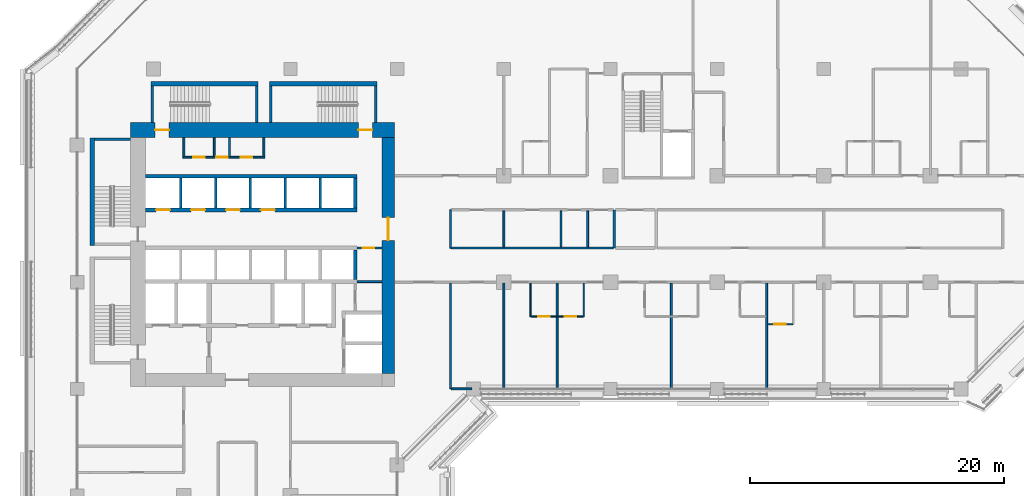
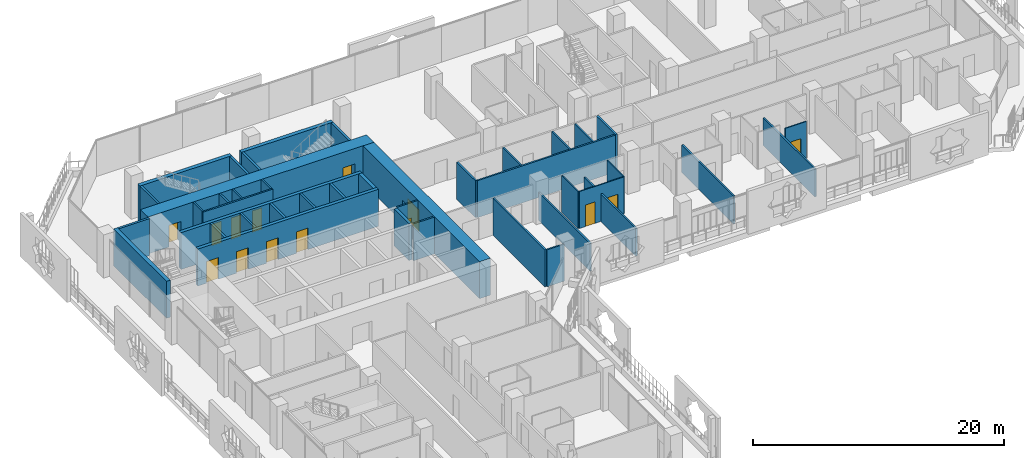
# One storey, part 14 of 26: 42 walls, 14 doors, 14 openings.
"""IFC4 building model written with IfcOpenShell, lengths in metres."""

from ifc_helpers import new_model, si_unit, direction, frame, frame_2d, origin, place, context, subcontext, project, spatial, rectangle, extrude, material, layer, layer_set, type_object, element, fill, save


model = new_model("IFC4")

# Units and contexts
model_context = context("Model", 3, precision=1e-05, world=origin(), true_north=direction((0.0, 1.0)))
body_context = subcontext(model_context, "Body", "Model", "MODEL_VIEW")
ifc_project = project(units=[si_unit("LENGTHUNIT", "METRE"), si_unit("AREAUNIT", "SQUARE_METRE"), si_unit("VOLUMEUNIT", "CUBIC_METRE"), si_unit("PLANEANGLEUNIT", "RADIAN"), si_unit("MASSUNIT", "GRAM", prefix="KILO")], contexts=[model_context])

# Site, building, storey
site_placement = place(None, origin())
site = spatial("IfcSite", under=ifc_project, at=site_placement, CompositionType="ELEMENT")
building_placement = place(site_placement, origin())
building = spatial("IfcBuilding", under=site, at=building_placement, Name="Kawkab Arch Medical Tower", CompositionType="ELEMENT")
storey_placement = place(building_placement, frame((0.0, 0.0, 119.800048828125)))
storey = spatial("IfcBuildingStorey", under=building, at=storey_placement, Name="L27", CompositionType="ELEMENT", Elevation=119.800048828125)

# Wall, opening, door
ifc_material_1 = material(Name="Concrete C60/75", Category="concrete")
ifc_layer_1 = layer(ifc_material_1, 1.0)
ifc_layer_set_1 = layer_set([ifc_layer_1], Name="Concrete C60/75")
wall_type_1 = type_object("IfcWallType", Name="Core ring wall 1000 C60/75", PredefinedType="SHEAR", material=ifc_layer_set_1)
wall_1_placement = place(storey_placement, frame((24.5, -24.0, 0.0), z_axis=(0.0, 0.0, 1.0), x_axis=(0.0, 1.0, 0.0)))
wall_1 = element("IfcWall", 1, at=wall_1_placement, inside=storey, type_object=wall_type_1, Name="L27 core wall", PredefinedType="SHEAR", context=body_context, shape_type="SweptSolid", body=[
    extrude(rectangle(XDim=18.60009765625, YDim=1.0, at=frame_2d((9.300048828125, 0.0))), origin(), (0.0, 0.0, 1.0), 3.599853515625),
])
opening_1_placement = place(wall_1_placement, frame((10.5, 0.0, 0.0)))
opening_1 = element("IfcOpeningElement", 2, at=opening_1_placement, cuts=wall_1, Name="Opening PD", PredefinedType="OPENING", context=body_context, shape_type="SweptSolid", body=[
    extrude(rectangle(XDim=1.800048828125, YDim=2.10009765625, at=frame_2d((0.89990234375, 1.050048828125))), frame((0.0, 0.510009765625, 0.0), z_axis=(0.0, -1.0, 0.0), x_axis=(1.0, 0.0, 0.0)), (0.0, 0.0, 1.0), 1.02001953125),
])
ifc_material_2 = material(Name="Hollow metal fire door leaf")
door_type_1 = type_object("IfcDoorType", Name="Core entrance doors 1800", OperationType="DOUBLE_DOOR_SINGLE_SWING", PredefinedType="DOOR", material=ifc_material_2)
door_1_placement = place(opening_1_placement, origin())
door_1 = element("IfcDoor", 3, at=door_1_placement, inside=storey, type_object=door_type_1, Name="L27 East entrance doors", OperationType="DOUBLE_DOOR_SINGLE_SWING", OverallHeight=2.10009765625, OverallWidth=1.800048828125, PredefinedType="DOOR", context=body_context, shape_type="SweptSolid", body=[
    extrude(rectangle(XDim=1.800048828125, YDim=2.10009765625, at=frame_2d((0.89990234375, 1.050048828125))), frame((0.0, 0.02490234375, 0.0), z_axis=(0.0, -1.0, 0.0), x_axis=(1.0, 0.0, 0.0)), (0.0, 0.0, 1.0), 0.050048828125),
])
fill(opening_1, door_1)

# Wall, openings, doors
ifc_material_3 = material(Name="Concrete C60/75", Category="concrete")
ifc_layer_2 = layer(ifc_material_3, 1.199951171875)
ifc_layer_set_2 = layer_set([ifc_layer_2], Name="Concrete C60/75")
wall_type_2 = type_object("IfcWallType", Name="Core ring wall 1200 C60/75", PredefinedType="SHEAR", material=ifc_layer_set_2)
wall_2_placement = place(storey_placement, frame((4.199951171875, -4.800048828125, 0.0), z_axis=(0.0, 0.0, 1.0), x_axis=(1.0, 0.0, 0.0)))
wall_2 = element("IfcWall", 4, at=wall_2_placement, inside=storey, type_object=wall_type_2, Name="L27 core wall", PredefinedType="SHEAR", context=body_context, shape_type="SweptSolid", body=[
    extrude(rectangle(XDim=20.800048828125, YDim=1.199951171875, at=frame_2d((10.39990234375, 0.0))), origin(), (0.0, 0.0, 1.0), 3.599853515625),
])
opening_2_placement = place(wall_2_placement, frame((1.949951171875, 0.0, 0.0)))
opening_2 = element("IfcOpeningElement", 5, at=opening_2_placement, cuts=wall_2, Name="Opening SD", PredefinedType="OPENING", context=body_context, shape_type="SweptSolid", body=[
    extrude(rectangle(XDim=1.10009765625, YDim=2.10009765625, at=frame_2d((0.550048828125, 1.050048828125))), frame((0.0, 0.60986328125, 0.0), z_axis=(0.0, -1.0, 0.0), x_axis=(1.0, 0.0, 0.0)), (0.0, 0.0, 1.0), 1.219970703125),
])
opening_3_placement = place(wall_2_placement, frame((17.949951171875, 0.0, 0.0)))
opening_3 = element("IfcOpeningElement", 6, at=opening_3_placement, cuts=wall_2, Name="Opening SD", PredefinedType="OPENING", context=body_context, shape_type="SweptSolid", body=[
    extrude(rectangle(XDim=1.10009765625, YDim=2.10009765625, at=frame_2d((0.550048828125, 1.050048828125))), frame((0.0, 0.60986328125, 0.0), z_axis=(0.0, -1.0, 0.0), x_axis=(1.0, 0.0, 0.0)), (0.0, 0.0, 1.0), 1.219970703125),
])
ifc_material_4 = material(Name="Hollow metal fire door leaf")
door_type_2 = type_object("IfcDoorType", Name="Exit stair door 1100", OperationType="SINGLE_SWING_LEFT", PredefinedType="DOOR", material=ifc_material_4)
door_2_placement = place(opening_2_placement, origin())
door_2 = element("IfcDoor", 7, at=door_2_placement, inside=storey, type_object=door_type_2, Name="L27 Exit stair ST3 door", OperationType="SINGLE_SWING_LEFT", OverallHeight=2.10009765625, OverallWidth=1.10009765625, PredefinedType="DOOR", context=body_context, shape_type="SweptSolid", body=[
    extrude(rectangle(XDim=1.10009765625, YDim=2.10009765625, at=frame_2d((0.550048828125, 1.050048828125))), frame((0.0, 0.02490234375, 0.0), z_axis=(0.0, -1.0, 0.0), x_axis=(1.0, 0.0, 0.0)), (0.0, 0.0, 1.0), 0.050048828125),
])
fill(opening_2, door_2)
door_3_placement = place(opening_3_placement, origin())
door_3 = element("IfcDoor", 8, at=door_3_placement, inside=storey, type_object=door_type_2, Name="L27 Exit stair ST4 door", OperationType="SINGLE_SWING_LEFT", OverallHeight=2.10009765625, OverallWidth=1.10009765625, PredefinedType="DOOR", context=body_context, shape_type="SweptSolid", body=[
    extrude(rectangle(XDim=1.10009765625, YDim=2.10009765625, at=frame_2d((0.550048828125, 1.050048828125))), frame((0.0, 0.02490234375, 0.0), z_axis=(0.0, -1.0, 0.0), x_axis=(1.0, 0.0, 0.0)), (0.0, 0.0, 1.0), 0.050048828125),
])
fill(opening_3, door_3)

# Wall
ifc_material_5 = material(Name="Gypsum board on steel studs", Category="steel")
ifc_layer_3 = layer(ifc_material_5, 0.14990234375)
ifc_layer_set_3 = layer_set([ifc_layer_3], Name="Gypsum board on steel studs")
wall_type_3 = type_object("IfcWallType", Name="Core room partition 150", PredefinedType="PARTITIONING", material=ifc_layer_set_3)
wall_3_placement = place(storey_placement, frame((22.050048828125, -16.75, 0.0), z_axis=(0.0, 0.0, 1.0), x_axis=(1.0, 0.0, 0.0)))
element("IfcWall", 9, at=wall_3_placement, inside=storey, type_object=wall_type_3, Name="L27 core room partition", PredefinedType="PARTITIONING", context=body_context, shape_type="SweptSolid", body=[
    extrude(rectangle(XDim=1.949951171875, YDim=0.14990234375, at=frame_2d((0.97509765625, 0.0))), origin(), (0.0, 0.0, 1.0), 3.599853515625),
])

# Wall, opening, door
wall_4_placement = place(storey_placement, frame((22.050048828125, -14.10009765625, 0.0), z_axis=(0.0, 0.0, 1.0), x_axis=(1.0, 0.0, 0.0)))
wall_4 = element("IfcWall", 10, at=wall_4_placement, inside=storey, type_object=wall_type_3, Name="L27 core room partition", PredefinedType="PARTITIONING", context=body_context, shape_type="SweptSolid", body=[
    extrude(rectangle(XDim=1.949951171875, YDim=0.14990234375, at=frame_2d((0.97509765625, 0.0))), origin(), (0.0, 0.0, 1.0), 3.599853515625),
])
opening_4_placement = place(wall_4_placement, frame((0.449951171875, 0.0, 0.0)))
opening_4 = element("IfcOpeningElement", 11, at=opening_4_placement, cuts=wall_4, Name="Opening RD", PredefinedType="OPENING", context=body_context, shape_type="SweptSolid", body=[
    extrude(rectangle(XDim=0.89990234375, YDim=2.10009765625, at=frame_2d((0.449951171875, 1.050048828125))), frame((0.0, 0.0849609375, 0.0), z_axis=(0.0, -1.0, 0.0), x_axis=(1.0, 0.0, 0.0)), (0.0, 0.0, 1.0), 0.169921875),
])
ifc_material_6 = material(Name="Hollow metal fire door leaf")
door_type_3 = type_object("IfcDoorType", Name="Core room door 900", OperationType="SINGLE_SWING_LEFT", PredefinedType="DOOR", material=ifc_material_6)
door_4_placement = place(opening_4_placement, origin())
door_4 = element("IfcDoor", 12, at=door_4_placement, inside=storey, type_object=door_type_3, Name="L27 Medication store door", OperationType="SINGLE_SWING_LEFT", OverallHeight=2.10009765625, OverallWidth=0.89990234375, PredefinedType="DOOR", context=body_context, shape_type="SweptSolid", body=[
    extrude(rectangle(XDim=0.89990234375, YDim=2.10009765625, at=frame_2d((0.449951171875, 1.050048828125))), frame((0.0, 0.02490234375, 0.0), z_axis=(0.0, -1.0, 0.0), x_axis=(1.0, 0.0, 0.0)), (0.0, 0.0, 1.0), 0.050048828125),
])
fill(opening_4, door_4)

# Wall, openings, doors
wall_5_placement = place(storey_placement, frame((8.324951171875, -6.949951171875, 0.0), z_axis=(0.0, 0.0, 1.0), x_axis=(1.0, 0.0, 0.0)))
wall_5 = element("IfcWall", 13, at=wall_5_placement, inside=storey, type_object=wall_type_3, Name="L27 core room partition", PredefinedType="PARTITIONING", context=body_context, shape_type="SweptSolid", body=[
    extrude(rectangle(XDim=6.449951171875, YDim=0.14990234375, at=frame_2d((3.22509765625, 0.0))), origin(), (0.0, 0.0, 1.0), 3.599853515625),
])
opening_5_placement = place(wall_5_placement, frame((0.824951171875, 0.0, 0.0)))
opening_5 = element("IfcOpeningElement", 14, at=opening_5_placement, cuts=wall_5, Name="Opening RD", PredefinedType="OPENING", context=body_context, shape_type="SweptSolid", body=[
    extrude(rectangle(XDim=0.89990234375, YDim=2.10009765625, at=frame_2d((0.449951171875, 1.050048828125))), frame((0.0, 0.0849609375, 0.0), z_axis=(0.0, -1.0, 0.0), x_axis=(1.0, 0.0, 0.0)), (0.0, 0.0, 1.0), 0.169921875),
])
opening_6_placement = place(wall_5_placement, frame((2.625, 0.0, 0.0)))
opening_6 = element("IfcOpeningElement", 15, at=opening_6_placement, cuts=wall_5, Name="Opening RD", PredefinedType="OPENING", context=body_context, shape_type="SweptSolid", body=[
    extrude(rectangle(XDim=0.89990234375, YDim=2.10009765625, at=frame_2d((0.449951171875, 1.050048828125))), frame((0.0, 0.0849609375, 0.0), z_axis=(0.0, -1.0, 0.0), x_axis=(1.0, 0.0, 0.0)), (0.0, 0.0, 1.0), 0.169921875),
])
opening_7_placement = place(wall_5_placement, frame((4.574951171875, 0.0, 0.0)))
opening_7 = element("IfcOpeningElement", 16, at=opening_7_placement, cuts=wall_5, Name="Opening RD", PredefinedType="OPENING", context=body_context, shape_type="SweptSolid", body=[
    extrude(rectangle(XDim=0.89990234375, YDim=2.10009765625, at=frame_2d((0.449951171875, 1.050048828125))), frame((0.0, 0.0849609375, 0.0), z_axis=(0.0, -1.0, 0.0), x_axis=(1.0, 0.0, 0.0)), (0.0, 0.0, 1.0), 0.169921875),
])
door_5_placement = place(opening_5_placement, origin())
door_5 = element("IfcDoor", 17, at=door_5_placement, inside=storey, type_object=door_type_3, Name="L27 Housekeeping store door", OperationType="SINGLE_SWING_LEFT", OverallHeight=2.10009765625, OverallWidth=0.89990234375, PredefinedType="DOOR", context=body_context, shape_type="SweptSolid", body=[
    extrude(rectangle(XDim=0.89990234375, YDim=2.10009765625, at=frame_2d((0.449951171875, 1.050048828125))), frame((0.0, 0.02490234375, 0.0), z_axis=(0.0, -1.0, 0.0), x_axis=(1.0, 0.0, 0.0)), (0.0, 0.0, 1.0), 0.050048828125),
])
fill(opening_5, door_5)
door_6_placement = place(opening_6_placement, origin())
door_6 = element("IfcDoor", 18, at=door_6_placement, inside=storey, type_object=door_type_3, Name="L27 Electrical riser room door", OperationType="SINGLE_SWING_LEFT", OverallHeight=2.10009765625, OverallWidth=0.89990234375, PredefinedType="DOOR", context=body_context, shape_type="SweptSolid", body=[
    extrude(rectangle(XDim=0.89990234375, YDim=2.10009765625, at=frame_2d((0.449951171875, 1.050048828125))), frame((0.0, 0.02490234375, 0.0), z_axis=(0.0, -1.0, 0.0), x_axis=(1.0, 0.0, 0.0)), (0.0, 0.0, 1.0), 0.050048828125),
])
fill(opening_6, door_6)
door_7_placement = place(opening_7_placement, origin())
door_7 = element("IfcDoor", 19, at=door_7_placement, inside=storey, type_object=door_type_3, Name="L27 Equipment store door", OperationType="SINGLE_SWING_LEFT", OverallHeight=2.10009765625, OverallWidth=0.89990234375, PredefinedType="DOOR", context=body_context, shape_type="SweptSolid", body=[
    extrude(rectangle(XDim=0.89990234375, YDim=2.10009765625, at=frame_2d((0.449951171875, 1.050048828125))), frame((0.0, 0.02490234375, 0.0), z_axis=(0.0, -1.0, 0.0), x_axis=(1.0, 0.0, 0.0)), (0.0, 0.0, 1.0), 0.050048828125),
])
fill(opening_7, door_7)

# Walls
for number, where, z_axis, x_axis, name in (
    (20, (8.39990234375, -6.875, 0.0), (0.0, 0.0, 1.0), (0.0, 1.0, 0.0), "L27 core room partition"),
    (21, (10.800048828125, -6.875, 0.0), (0.0, 0.0, 1.0), (0.0, 1.0, 0.0), "L27 core room partition"),
    (22, (12.0, -6.875, 0.0), (0.0, 0.0, 1.0), (0.0, 1.0, 0.0), "L27 core room partition"),
    (23, (14.699951171875, -6.875, 0.0), (0.0, 0.0, 1.0), (0.0, 1.0, 0.0), "L27 core room partition"),
):
    element("IfcWall", number, at=place(storey_placement, frame(where, z_axis=z_axis, x_axis=x_axis)), inside=storey, type_object=wall_type_3, Name=name, PredefinedType="PARTITIONING", context=body_context, shape_type="SweptSolid", body=[
        extrude(rectangle(XDim=1.47509765625, YDim=0.14990234375, at=frame_2d((0.737548828125, 0.0))), origin(), (0.0, 0.0, 1.0), 3.599853515625),
    ])
ifc_material_7 = material(Name="Concrete C60/75", Category="concrete")
ifc_layer_4 = layer(ifc_material_7, 0.300048828125)
ifc_layer_set_4 = layer_set([ifc_layer_4], Name="Concrete C60/75")
wall_type_4 = type_object("IfcWallType", Name="Core shear wall 300 C60/75", PredefinedType="SHEAR", material=ifc_layer_set_4)
wall_6_placement = place(storey_placement, frame((5.39990234375, -8.449951171875, 0.0), z_axis=(0.0, 0.0, 1.0), x_axis=(1.0, 0.0, 0.0)))
element("IfcWall", 24, at=wall_6_placement, inside=storey, type_object=wall_type_4, Name="L27 core shear wall", PredefinedType="SHEAR", context=body_context, shape_type="SweptSolid", body=[
    extrude(rectangle(XDim=16.650146484375, YDim=0.300048828125, at=frame_2d((8.3251953125, 0.0))), origin(), (0.0, 0.0, 1.0), 3.599853515625),
])

# Wall, openings, doors
wall_7_placement = place(storey_placement, frame((5.39990234375, -11.10009765625, 0.0), z_axis=(0.0, 0.0, 1.0), x_axis=(1.0, 0.0, 0.0)))
wall_7 = element("IfcWall", 25, at=wall_7_placement, inside=storey, type_object=wall_type_4, Name="L27 core shear wall", PredefinedType="SHEAR", context=body_context, shape_type="SweptSolid", body=[
    extrude(rectangle(XDim=16.650146484375, YDim=0.300048828125, at=frame_2d((8.3251953125, 0.0))), origin(), (0.0, 0.0, 1.0), 3.599853515625),
])
opening_8_placement = place(wall_7_placement, frame((0.824951171875, 0.0, 0.0)))
opening_8 = element("IfcOpeningElement", 26, at=opening_8_placement, cuts=wall_7, Name="Opening LD1", PredefinedType="OPENING", context=body_context, shape_type="SweptSolid", body=[
    extrude(rectangle(XDim=1.10009765625, YDim=2.10009765625, at=frame_2d((0.550048828125, 1.050048828125))), frame((0.0, 0.159912109375, 0.0), z_axis=(0.0, -1.0, 0.0), x_axis=(1.0, 0.0, 0.0)), (0.0, 0.0, 1.0), 0.320068359375),
])
opening_9_placement = place(wall_7_placement, frame((3.574951171875, 0.0, 0.0)))
opening_9 = element("IfcOpeningElement", 27, at=opening_9_placement, cuts=wall_7, Name="Opening LD1", PredefinedType="OPENING", context=body_context, shape_type="SweptSolid", body=[
    extrude(rectangle(XDim=1.10009765625, YDim=2.10009765625, at=frame_2d((0.550048828125, 1.050048828125))), frame((0.0, 0.159912109375, 0.0), z_axis=(0.0, -1.0, 0.0), x_axis=(1.0, 0.0, 0.0)), (0.0, 0.0, 1.0), 0.320068359375),
])
opening_10_placement = place(wall_7_placement, frame((6.324951171875, 0.0, 0.0)))
opening_10 = element("IfcOpeningElement", 28, at=opening_10_placement, cuts=wall_7, Name="Opening LD1", PredefinedType="OPENING", context=body_context, shape_type="SweptSolid", body=[
    extrude(rectangle(XDim=1.10009765625, YDim=2.10009765625, at=frame_2d((0.550048828125, 1.050048828125))), frame((0.0, 0.159912109375, 0.0), z_axis=(0.0, -1.0, 0.0), x_axis=(1.0, 0.0, 0.0)), (0.0, 0.0, 1.0), 0.320068359375),
])
opening_11_placement = place(wall_7_placement, frame((9.074951171875, 0.0, 0.0)))
opening_11 = element("IfcOpeningElement", 29, at=opening_11_placement, cuts=wall_7, Name="Opening LD1", PredefinedType="OPENING", context=body_context, shape_type="SweptSolid", body=[
    extrude(rectangle(XDim=1.10009765625, YDim=2.10009765625, at=frame_2d((0.550048828125, 1.050048828125))), frame((0.0, 0.159912109375, 0.0), z_axis=(0.0, -1.0, 0.0), x_axis=(1.0, 0.0, 0.0)), (0.0, 0.0, 1.0), 0.320068359375),
])
ifc_material_8 = material(Name="Stainless steel lift door leaf", Category="steel")
door_type_4 = type_object("IfcDoorType", Name="Lift landing door 1100", OperationType="DOUBLE_DOOR_SLIDING", PredefinedType="DOOR", material=ifc_material_8)
door_8_placement = place(opening_8_placement, origin())
door_8 = element("IfcDoor", 30, at=door_8_placement, inside=storey, type_object=door_type_4, Name="L27 Lift landing door LP1", OperationType="DOUBLE_DOOR_SLIDING", OverallHeight=2.10009765625, OverallWidth=1.10009765625, PredefinedType="DOOR", context=body_context, shape_type="SweptSolid", body=[
    extrude(rectangle(XDim=1.10009765625, YDim=2.10009765625, at=frame_2d((0.550048828125, 1.050048828125))), frame((0.0, 0.02490234375, 0.0), z_axis=(0.0, -1.0, 0.0), x_axis=(1.0, 0.0, 0.0)), (0.0, 0.0, 1.0), 0.050048828125),
])
fill(opening_8, door_8)
door_9_placement = place(opening_9_placement, origin())
door_9 = element("IfcDoor", 31, at=door_9_placement, inside=storey, type_object=door_type_4, Name="L27 Lift landing door LP2", OperationType="DOUBLE_DOOR_SLIDING", OverallHeight=2.10009765625, OverallWidth=1.10009765625, PredefinedType="DOOR", context=body_context, shape_type="SweptSolid", body=[
    extrude(rectangle(XDim=1.10009765625, YDim=2.10009765625, at=frame_2d((0.550048828125, 1.050048828125))), frame((0.0, 0.02490234375, 0.0), z_axis=(0.0, -1.0, 0.0), x_axis=(1.0, 0.0, 0.0)), (0.0, 0.0, 1.0), 0.050048828125),
])
fill(opening_9, door_9)
door_10_placement = place(opening_10_placement, origin())
door_10 = element("IfcDoor", 32, at=door_10_placement, inside=storey, type_object=door_type_4, Name="L27 Lift landing door LP3", OperationType="DOUBLE_DOOR_SLIDING", OverallHeight=2.10009765625, OverallWidth=1.10009765625, PredefinedType="DOOR", context=body_context, shape_type="SweptSolid", body=[
    extrude(rectangle(XDim=1.10009765625, YDim=2.10009765625, at=frame_2d((0.550048828125, 1.050048828125))), frame((0.0, 0.02490234375, 0.0), z_axis=(0.0, -1.0, 0.0), x_axis=(1.0, 0.0, 0.0)), (0.0, 0.0, 1.0), 0.050048828125),
])
fill(opening_10, door_10)
door_11_placement = place(opening_11_placement, origin())
door_11 = element("IfcDoor", 33, at=door_11_placement, inside=storey, type_object=door_type_4, Name="L27 Lift landing door LP4", OperationType="DOUBLE_DOOR_SLIDING", OverallHeight=2.10009765625, OverallWidth=1.10009765625, PredefinedType="DOOR", context=body_context, shape_type="SweptSolid", body=[
    extrude(rectangle(XDim=1.10009765625, YDim=2.10009765625, at=frame_2d((0.550048828125, 1.050048828125))), frame((0.0, 0.02490234375, 0.0), z_axis=(0.0, -1.0, 0.0), x_axis=(1.0, 0.0, 0.0)), (0.0, 0.0, 1.0), 0.050048828125),
])
fill(opening_11, door_11)

# Walls
wall_8_placement = place(storey_placement, frame((21.89990234375, -10.949951171875, 0.0), z_axis=(0.0, 0.0, 1.0), x_axis=(0.0, 1.0, 0.0)))
element("IfcWall", 34, at=wall_8_placement, inside=storey, type_object=wall_type_4, Name="L27 core shear wall", PredefinedType="SHEAR", context=body_context, shape_type="SweptSolid", body=[
    extrude(rectangle(XDim=2.349853515625, YDim=0.300048828125, at=frame_2d((1.1748046875, 0.0))), origin(), (0.0, 0.0, 1.0), 3.599853515625),
])
wall_9_placement = place(storey_placement, frame((21.89990234375, -16.60009765625, 0.0), z_axis=(0.0, 0.0, 1.0), x_axis=(0.0, 1.0, 0.0)))
element("IfcWall", 35, at=wall_9_placement, inside=storey, type_object=wall_type_4, Name="L27 core shear wall", PredefinedType="SHEAR", context=body_context, shape_type="SweptSolid", body=[
    extrude(rectangle(XDim=2.35009765625, YDim=0.300048828125, at=frame_2d((1.175048828125, 0.0))), origin(), (0.0, 0.0, 1.0), 3.599853515625),
])
ifc_material_9 = material(Name="Dense concrete blockwork", Category="masonry")
ifc_layer_5 = layer(ifc_material_9, 0.199951171875)
ifc_layer_set_5 = layer_set([ifc_layer_5], Name="Dense concrete blockwork")
wall_type_5 = type_object("IfcWallType", Name="Lift shaft partition 200", PredefinedType="PARTITIONING", material=ifc_layer_set_5)
for number, where, z_axis, x_axis, name in (
    (36, (8.14990234375, -10.949951171875, 0.0), (0.0, 0.0, 1.0), (0.0, 1.0, 0.0), "L27 lift shaft partition"),
    (37, (10.89990234375, -10.949951171875, 0.0), (0.0, 0.0, 1.0), (0.0, 1.0, 0.0), "L27 lift shaft partition"),
    (38, (13.64990234375, -10.949951171875, 0.0), (0.0, 0.0, 1.0), (0.0, 1.0, 0.0), "L27 lift shaft partition"),
    (39, (16.39990234375, -10.949951171875, 0.0), (0.0, 0.0, 1.0), (0.0, 1.0, 0.0), "L27 lift shaft partition"),
    (40, (19.14990234375, -10.949951171875, 0.0), (0.0, 0.0, 1.0), (0.0, 1.0, 0.0), "L27 lift shaft partition"),
):
    element("IfcWall", number, at=place(storey_placement, frame(where, z_axis=z_axis, x_axis=x_axis)), inside=storey, type_object=wall_type_5, Name=name, PredefinedType="PARTITIONING", context=body_context, shape_type="SweptSolid", body=[
        extrude(rectangle(XDim=2.349853515625, YDim=0.199951171875, at=frame_2d((1.1748046875, 0.0))), origin(), (0.0, 0.0, 1.0), 3.599853515625),
    ])

# Wall, opening, door
ifc_material_10 = material(Name="Gypsum board partition on steel studs", Category="steel")
ifc_layer_6 = layer(ifc_material_10, 0.10009765625)
ifc_layer_set_6 = layer_set([ifc_layer_6], Name="Gypsum board partition on steel studs")
wall_type_6 = type_object("IfcWallType", Name="Partition 100", PredefinedType="PARTITIONING", material=ifc_layer_set_6)
wall_10_placement = place(storey_placement, frame((54.375, -20.10009765625, 0.0), z_axis=(0.0, 0.0, 1.0), x_axis=(1.0, 0.0, 0.0)))
wall_10 = element("IfcWall", 41, at=wall_10_placement, inside=storey, type_object=wall_type_6, Name="Partition 100 w005", PredefinedType="PARTITIONING", context=body_context, shape_type="SweptSolid", body=[
    extrude(rectangle(XDim=1.97509765625, YDim=0.10009765625, at=frame_2d((0.987548828125, 0.0))), origin(), (0.0, 0.0, 1.0), 3.599853515625),
])
opening_12_placement = place(wall_10_placement, frame((0.52490234375, 0.0, 0.0)))
opening_12 = element("IfcOpeningElement", 42, at=opening_12_placement, cuts=wall_10, Name="Opening W27-011", PredefinedType="OPENING", context=body_context, shape_type="SweptSolid", body=[
    extrude(rectangle(XDim=0.89990234375, YDim=2.10009765625, at=frame_2d((0.449951171875, 1.050048828125))), frame((0.0, 0.06005859375, 0.0), z_axis=(0.0, -1.0, 0.0), x_axis=(1.0, 0.0, 0.0)), (0.0, 0.0, 1.0), 0.1201171875),
])
ifc_material_11 = material(Name="Timber door leaf", Category="wood")
door_type_5 = type_object("IfcDoorType", Name="Single door 900x2100", OperationType="NOTDEFINED", PredefinedType="DOOR", material=ifc_material_11)
door_12_placement = place(opening_12_placement, origin())
door_12 = element("IfcDoor", 43, at=door_12_placement, inside=storey, type_object=door_type_5, Name="Door W27-011", OperationType="SINGLE_SWING_RIGHT", OverallHeight=2.10009765625, OverallWidth=0.89990234375, PredefinedType="DOOR", context=body_context, shape_type="SweptSolid", body=[
    extrude(rectangle(XDim=0.89990234375, YDim=2.10009765625, at=frame_2d((0.449951171875, 1.050048828125))), frame((0.0, 0.02490234375, 0.0), z_axis=(0.0, -1.0, 0.0), x_axis=(1.0, 0.0, 0.0)), (0.0, 0.0, 1.0), 0.050048828125),
])
fill(opening_12, door_12)

# Wall, openings, doors
wall_11_placement = place(storey_placement, frame((35.75, -19.5, 0.0), z_axis=(0.0, 0.0, 1.0), x_axis=(1.0, 0.0, 0.0)))
wall_11 = element("IfcWall", 44, at=wall_11_placement, inside=storey, type_object=wall_type_6, Name="Partition 100 w006", PredefinedType="PARTITIONING", context=body_context, shape_type="SweptSolid", body=[
    extrude(rectangle(XDim=4.10009765625, YDim=0.10009765625, at=frame_2d((2.050048828125, 0.0))), origin(), (0.0, 0.0, 1.0), 3.599853515625),
])
opening_13_placement = place(wall_11_placement, frame((0.550048828125, 0.0, 0.0)))
opening_13 = element("IfcOpeningElement", 45, at=opening_13_placement, cuts=wall_11, Name="Opening W27-008", PredefinedType="OPENING", context=body_context, shape_type="SweptSolid", body=[
    extrude(rectangle(XDim=0.89990234375, YDim=2.10009765625, at=frame_2d((0.449951171875, 1.050048828125))), frame((0.0, 0.06005859375, 0.0), z_axis=(0.0, -1.0, 0.0), x_axis=(1.0, 0.0, 0.0)), (0.0, 0.0, 1.0), 0.1201171875),
])
opening_14_placement = place(wall_11_placement, frame((2.64990234375, 0.0, 0.0)))
opening_14 = element("IfcOpeningElement", 46, at=opening_14_placement, cuts=wall_11, Name="Opening W27-009", PredefinedType="OPENING", context=body_context, shape_type="SweptSolid", body=[
    extrude(rectangle(XDim=0.89990234375, YDim=2.10009765625, at=frame_2d((0.449951171875, 1.050048828125))), frame((0.0, 0.06005859375, 0.0), z_axis=(0.0, -1.0, 0.0), x_axis=(1.0, 0.0, 0.0)), (0.0, 0.0, 1.0), 0.1201171875),
])
door_13_placement = place(opening_13_placement, origin())
door_13 = element("IfcDoor", 47, at=door_13_placement, inside=storey, type_object=door_type_5, Name="Door W27-008", OperationType="SINGLE_SWING_RIGHT", OverallHeight=2.10009765625, OverallWidth=0.89990234375, PredefinedType="DOOR", context=body_context, shape_type="SweptSolid", body=[
    extrude(rectangle(XDim=0.89990234375, YDim=2.10009765625, at=frame_2d((0.449951171875, 1.050048828125))), frame((0.0, 0.02490234375, 0.0), z_axis=(0.0, -1.0, 0.0), x_axis=(1.0, 0.0, 0.0)), (0.0, 0.0, 1.0), 0.050048828125),
])
fill(opening_13, door_13)
door_14_placement = place(opening_14_placement, origin())
door_14 = element("IfcDoor", 48, at=door_14_placement, inside=storey, type_object=door_type_5, Name="Door W27-009", OperationType="SINGLE_SWING_LEFT", OverallHeight=2.10009765625, OverallWidth=0.89990234375, PredefinedType="DOOR", context=body_context, shape_type="SweptSolid", body=[
    extrude(rectangle(XDim=0.89990234375, YDim=2.10009765625, at=frame_2d((0.449951171875, 1.050048828125))), frame((0.0, 0.02490234375, 0.0), z_axis=(0.0, -1.0, 0.0), x_axis=(1.0, 0.0, 0.0)), (0.0, 0.0, 1.0), 0.050048828125),
])
fill(opening_14, door_14)

# Walls
for number, where, z_axis, x_axis, name in (
    (49, (35.699951171875, -19.5, 0.0), (0.0, 0.0, 1.0), (0.0, 1.0, 0.0), "Partition 100 w018"),
    (50, (39.89990234375, -19.5, 0.0), (0.0, 0.0, 1.0), (0.0, 1.0, 0.0), "Partition 100 w019"),
):
    element("IfcWall", number, at=place(storey_placement, frame(where, z_axis=z_axis, x_axis=x_axis)), inside=storey, type_object=wall_type_6, Name=name, PredefinedType="PARTITIONING", context=body_context, shape_type="SweptSolid", body=[
        extrude(rectangle(XDim=2.625, YDim=0.10009765625, at=frame_2d((1.3125, 0.0))), origin(), (0.0, 0.0, 1.0), 3.599853515625),
    ])
ifc_material_12 = material(Name="Gypsum board partition on steel studs, mineral wool", Category="steel")
ifc_layer_7 = layer(ifc_material_12, 0.14990234375)
ifc_layer_set_7 = layer_set([ifc_layer_7], Name="Gypsum board partition on steel studs, mineral wool")
wall_type_7 = type_object("IfcWallType", Name="Partition 150", PredefinedType="PARTITIONING", material=ifc_layer_set_7)
wall_12_placement = place(storey_placement, frame((29.47509765625, -25.199951171875, 0.0), z_axis=(0.0, 0.0, 1.0), x_axis=(1.0, 0.0, 0.0)))
element("IfcWall", 51, at=wall_12_placement, inside=storey, type_object=wall_type_7, Name="Partition 150 w045", PredefinedType="PARTITIONING", context=body_context, shape_type="SweptSolid", body=[
    extrude(rectangle(XDim=1.61181640625, YDim=0.14990234375, at=frame_2d((0.805908203125, 0.0))), origin(), (0.0, 0.0, 1.0), 3.599853515625),
])
wall_13_placement = place(storey_placement, frame((29.47509765625, -14.10009765625, 0.0), z_axis=(0.0, 0.0, 1.0), x_axis=(1.0, 0.0, 0.0)))
element("IfcWall", 52, at=wall_13_placement, inside=storey, type_object=wall_type_7, Name="Partition 150 w047", PredefinedType="PARTITIONING", context=body_context, shape_type="SweptSolid", body=[
    extrude(rectangle(XDim=12.724853515625, YDim=0.14990234375, at=frame_2d((6.3623046875, 0.0))), origin(), (0.0, 0.0, 1.0), 3.599853515625),
])
wall_14_placement = place(storey_placement, frame((29.39990234375, -25.199951171875, 0.0), z_axis=(0.0, 0.0, 1.0), x_axis=(0.0, 1.0, 0.0)))
element("IfcWall", 53, at=wall_14_placement, inside=storey, type_object=wall_type_7, Name="Partition 150 w065", PredefinedType="PARTITIONING", context=body_context, shape_type="SweptSolid", body=[
    extrude(rectangle(XDim=8.324951171875, YDim=0.14990234375, at=frame_2d((4.16259765625, 0.0))), origin(), (0.0, 0.0, 1.0), 3.599853515625),
])
wall_15_placement = place(storey_placement, frame((29.39990234375, -14.10009765625, 0.0), z_axis=(0.0, 0.0, 1.0), x_axis=(0.0, 1.0, 0.0)))
element("IfcWall", 54, at=wall_15_placement, inside=storey, type_object=wall_type_7, Name="Partition 150 w066", PredefinedType="PARTITIONING", context=body_context, shape_type="SweptSolid", body=[
    extrude(rectangle(XDim=3.0, YDim=0.14990234375, at=frame_2d((1.5, 0.0))), origin(), (0.0, 0.0, 1.0), 3.599853515625),
])
wall_16_placement = place(storey_placement, frame((33.60009765625, -25.1201171875, 0.0), z_axis=(0.0, 0.0, 1.0), x_axis=(0.0, 1.0, 0.0)))
element("IfcWall", 55, at=wall_16_placement, inside=storey, type_object=wall_type_7, Name="Partition 150 w067", PredefinedType="PARTITIONING", context=body_context, shape_type="SweptSolid", body=[
    extrude(rectangle(XDim=8.2451171875, YDim=0.14990234375, at=frame_2d((4.12255859375, 0.0))), origin(), (0.0, 0.0, 1.0), 2.699951171875),
])
wall_17_placement = place(storey_placement, frame((33.60009765625, -14.02490234375, 0.0), z_axis=(0.0, 0.0, 1.0), x_axis=(0.0, 1.0, 0.0)))
element("IfcWall", 56, at=wall_17_placement, inside=storey, type_object=wall_type_7, Name="Partition 150 w068", PredefinedType="PARTITIONING", context=body_context, shape_type="SweptSolid", body=[
    extrude(rectangle(XDim=2.849853515625, YDim=0.14990234375, at=frame_2d((1.4248046875, 0.0))), origin(), (0.0, 0.0, 1.0), 3.599853515625),
])
wall_18_placement = place(storey_placement, frame((37.800048828125, -25.1201171875, 0.0), z_axis=(0.0, 0.0, 1.0), x_axis=(0.0, 1.0, 0.0)))
element("IfcWall", 57, at=wall_18_placement, inside=storey, type_object=wall_type_7, Name="Partition 150 w071", PredefinedType="PARTITIONING", context=body_context, shape_type="SweptSolid", body=[
    extrude(rectangle(XDim=8.2451171875, YDim=0.14990234375, at=frame_2d((4.12255859375, 0.0))), origin(), (0.0, 0.0, 1.0), 2.699951171875),
])
for number, where, z_axis, x_axis, name in (
    (58, (38.10009765625, -14.02490234375, 0.0), (0.0, 0.0, 1.0), (0.0, 1.0, 0.0), "Partition 150 w072"),
    (59, (40.199951171875, -14.02490234375, 0.0), (0.0, 0.0, 1.0), (0.0, 1.0, 0.0), "Partition 150 w075"),
):
    element("IfcWall", number, at=place(storey_placement, frame(where, z_axis=z_axis, x_axis=x_axis)), inside=storey, type_object=wall_type_7, Name=name, PredefinedType="PARTITIONING", context=body_context, shape_type="SweptSolid", body=[
        extrude(rectangle(XDim=2.849853515625, YDim=0.14990234375, at=frame_2d((1.4248046875, 0.0))), origin(), (0.0, 0.0, 1.0), 3.599853515625),
    ])
for number, where, z_axis, x_axis, name in (
    (60, (46.800048828125, -25.1201171875, 0.0), (0.0, 0.0, 1.0), (0.0, 1.0, 0.0), "Partition 150 w076"),
    (61, (54.300048828125, -25.1201171875, 0.0), (0.0, 0.0, 1.0), (0.0, 1.0, 0.0), "Partition 150 w079"),
):
    element("IfcWall", number, at=place(storey_placement, frame(where, z_axis=z_axis, x_axis=x_axis)), inside=storey, type_object=wall_type_7, Name=name, PredefinedType="PARTITIONING", context=body_context, shape_type="SweptSolid", body=[
        extrude(rectangle(XDim=8.2451171875, YDim=0.14990234375, at=frame_2d((4.12255859375, 0.0))), origin(), (0.0, 0.0, 1.0), 2.699951171875),
    ])
ifc_material_13 = material(Name="Fire-rated gypsum board partition on steel studs", Category="steel")
ifc_layer_8 = layer(ifc_material_13, 0.199951171875)
ifc_layer_set_8 = layer_set([ifc_layer_8], Name="Fire-rated gypsum board partition on steel studs")
wall_type_8 = type_object("IfcWallType", Name="Protected partition 200", PredefinedType="PARTITIONING", material=ifc_layer_set_8)
wall_19_placement = place(storey_placement, frame((42.300048828125, -14.10009765625, 0.0), z_axis=(0.0, 0.0, 1.0), x_axis=(0.0, 1.0, 0.0)))
element("IfcWall", 62, at=wall_19_placement, inside=storey, type_object=wall_type_8, Name="Protected partition 200 w093", PredefinedType="PARTITIONING", context=body_context, shape_type="SweptSolid", body=[
    extrude(rectangle(XDim=3.0, YDim=0.199951171875, at=frame_2d((1.5, 0.0))), origin(), (0.0, 0.0, 1.0), 3.599853515625),
])
ifc_material_14 = material(Name="Concrete C50/60", Category="concrete")
ifc_layer_9 = layer(ifc_material_14, 0.199951171875)
ifc_layer_set_9 = layer_set([ifc_layer_9], Name="Concrete C50/60")
wall_type_9 = type_object("IfcWallType", Name="Stair enclosure wall 200 C50/60", PredefinedType="SHEAR", material=ifc_layer_set_9)
for number, where, z_axis, x_axis, name in (
    (63, (1.35009765625, -5.550048828125, 0.0), (0.0, 0.0, 1.0), (1.0, 0.0, 0.0), "L27 stair enclosure wall"),
    (64, (5.89990234375, -4.199951171875, 0.0), (0.0, 0.0, 1.0), (0.0, 1.0, 0.0), "L27 stair enclosure wall"),
    (65, (14.14990234375, -4.199951171875, 0.0), (0.0, 0.0, 1.0), (0.0, 1.0, 0.0), "L27 stair enclosure wall"),
    (66, (15.25, -4.199951171875, 0.0), (0.0, 0.0, 1.0), (0.0, 1.0, 0.0), "L27 stair enclosure wall"),
    (67, (23.5, -4.199951171875, 0.0), (0.0, 0.0, 1.0), (0.0, 1.0, 0.0), "L27 stair enclosure wall"),
):
    element("IfcWall", number, at=place(storey_placement, frame(where, z_axis=z_axis, x_axis=x_axis)), inside=storey, type_object=wall_type_9, Name=name, PredefinedType="SHEAR", context=body_context, shape_type="SweptSolid", body=[
        extrude(rectangle(XDim=2.849853515625, YDim=0.199951171875, at=frame_2d((1.4248046875, 0.0))), origin(), (0.0, 0.0, 1.0), 3.599853515625),
    ])
ifc_material_15 = material(Name="Concrete C50/60", Category="concrete")
ifc_layer_10 = layer(ifc_material_15, 0.35009765625)
ifc_layer_set_10 = layer_set([ifc_layer_10], Name="Concrete C50/60")
wall_type_10 = type_object("IfcWallType", Name="Stair enclosure wall 350 C50/60", PredefinedType="SHEAR", material=ifc_layer_set_10)
for number, where, z_axis, x_axis, name in (
    (68, (1.175048828125, -13.89990234375, 0.0), (0.0, 0.0, 1.0), (0.0, 1.0, 0.0), "L27 stair enclosure wall"),
    (69, (5.800048828125, -1.175048828125, 0.0), (0.0, 0.0, 1.0), (1.0, 0.0, 0.0), "L27 stair enclosure wall"),
):
    element("IfcWall", number, at=place(storey_placement, frame(where, z_axis=z_axis, x_axis=x_axis)), inside=storey, type_object=wall_type_10, Name=name, PredefinedType="SHEAR", context=body_context, shape_type="SweptSolid", body=[
        extrude(rectangle(XDim=8.449951171875, YDim=0.35009765625, at=frame_2d((4.22509765625, 0.0))), origin(), (0.0, 0.0, 1.0), 3.599853515625),
    ])
wall_20_placement = place(storey_placement, frame((15.14990234375, -1.175048828125, 0.0), z_axis=(0.0, 0.0, 1.0), x_axis=(1.0, 0.0, 0.0)))
element("IfcWall", 70, at=wall_20_placement, inside=storey, type_object=wall_type_10, Name="L27 stair enclosure wall", PredefinedType="SHEAR", context=body_context, shape_type="SweptSolid", body=[
    extrude(rectangle(XDim=8.4501953125, YDim=0.35009765625, at=frame_2d((4.22509765625, 0.0))), origin(), (0.0, 0.0, 1.0), 3.599853515625),
])

save(model, "model.ifc")
